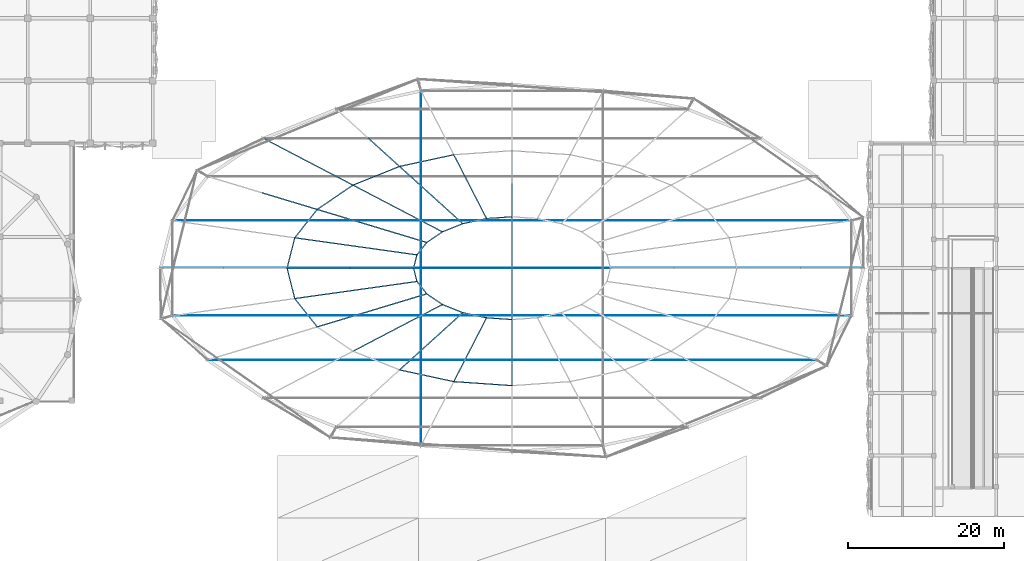
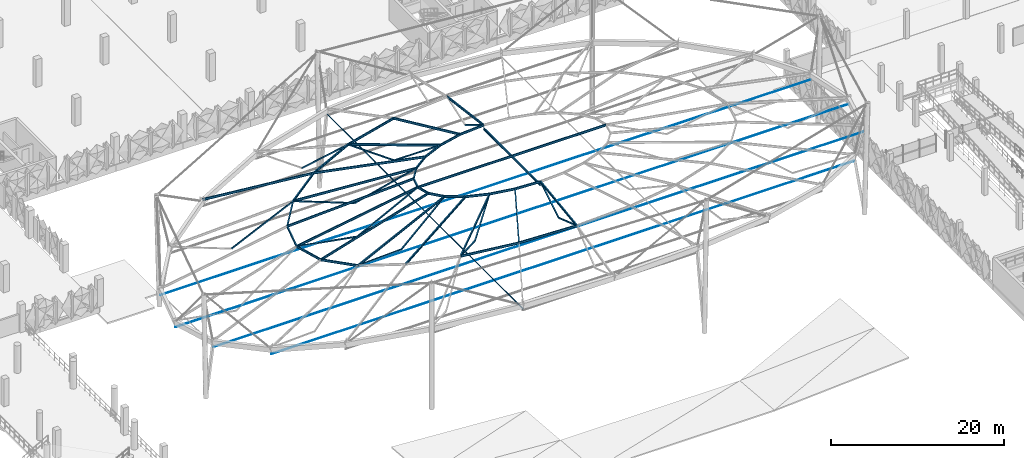
# One storey, part 12 of 96: 37 beams, 20 members.
"""IFC4 building model written with IfcOpenShell, lengths in metres."""

from ifc_helpers import new_model, si_unit, derived_unit, direction, frame, origin, origin_2d, place, context, subcontext, project, spatial, hollow_rectangle, circle, i_section, extrude, material, material_profile, profile_set, type_object, element, save


model = new_model("IFC4")

# Units and contexts
model_context = context("Model", 3, precision=1e-05, world=origin(), true_north=direction((0.0, 1.0)))
body_context = subcontext(model_context, "Body", "Model", "MODEL_VIEW")
ifc_project = project(units=[si_unit("LENGTHUNIT", "METRE"), si_unit("AREAUNIT", "SQUARE_METRE"), si_unit("VOLUMEUNIT", "CUBIC_METRE"), si_unit("PLANEANGLEUNIT", "RADIAN"), si_unit("MASSUNIT", "GRAM", prefix="KILO"), si_unit("THERMODYNAMICTEMPERATUREUNIT", "KELVIN"), derived_unit("THERMALTRANSMITTANCEUNIT", [(si_unit("POWERUNIT", "WATT"), 1), (si_unit("AREAUNIT", "SQUARE_METRE"), -1), (si_unit("THERMODYNAMICTEMPERATUREUNIT", "KELVIN"), -1)])], contexts=[model_context])

# Site, building, storey
site_placement = place(None, origin())
site = spatial("IfcSite", under=ifc_project, at=site_placement, CompositionType="ELEMENT")
building_placement = place(site_placement, origin())
building = spatial("IfcBuilding", under=site, at=building_placement, Name="Haiyu Intermodal Mobility Hub", CompositionType="ELEMENT")
storey_placement = place(building_placement, frame((0.0, 0.0, 9.5)))
storey = spatial("IfcBuildingStorey", under=building, at=storey_placement, Name="L02", CompositionType="ELEMENT", Elevation=9.5)

# Beams
ifc_material_1 = material(Name="Steel Q355C", Category="steel")
ifc_material_profile_1 = material_profile(ifc_material_1, i_section(OverallWidth=0.14990234375, OverallDepth=0.300048828125, WebThickness=0.006591796875, FlangeThickness=0.009033203125, FilletRadius=0.012939453125, at=origin_2d()), Name="HN300x150x6.5x9")
ifc_profile_set_1 = profile_set([ifc_material_profile_1], Name="Steel Q355C")
beam_type = type_object("IfcBeamType", Name="BM-SB10-INT", PredefinedType="JOIST", material=ifc_profile_set_1)
beam_1_placement = place(storey_placement, frame((108.0, 70.580078125, 15.02197265625), z_axis=(-0.997617613596, -0.068564271115, -0.007618252346), x_axis=(0.06856626086, -0.997646564607, 0.0)))
element("IfcBeam", 1, at=beam_1_placement, inside=storey, type_object=beam_type, Name="BM-SADHP-007", PredefinedType="JOIST", context=body_context, shape_type="SweptSolid", body=[
    extrude(i_section(OverallWidth=0.14990234375, OverallDepth=0.300048828125, WebThickness=0.006591796875, FlangeThickness=0.009033203125, FilletRadius=0.012939453125, at=origin_2d()), origin(), (0.0, 0.0, 1.0), 3.268798828125),
])
beam_2_placement = place(storey_placement, frame((104.739013671875, 70.35595703125, 14.9970703125), z_axis=(-0.977115528121, -0.211546139804, -0.022214307074), x_axis=(0.211598355543, -0.977356708644, 0.0)))
element("IfcBeam", 2, at=beam_2_placement, inside=storey, type_object=beam_type, Name="BM-SADHP-008", PredefinedType="JOIST", context=body_context, shape_type="SweptSolid", body=[
    extrude(i_section(OverallWidth=0.14990234375, OverallDepth=0.300048828125, WebThickness=0.006591796875, FlangeThickness=0.009033203125, FilletRadius=0.012939453125, at=origin_2d()), origin(), (0.0, 0.0, 1.0), 3.1103515625),
])
beam_3_placement = place(storey_placement, frame((101.699951171875, 69.697998046875, 14.927978515625), z_axis=(-0.927838396425, -0.371482538513, -0.033416069469), x_axis=(0.371690117332, -0.928356858475, 0.0)))
element("IfcBeam", 3, at=beam_3_placement, inside=storey, type_object=beam_type, Name="BM-SADHP-009", PredefinedType="JOIST", context=body_context, shape_type="SweptSolid", body=[
    extrude(i_section(OverallWidth=0.14990234375, OverallDepth=0.300048828125, WebThickness=0.006591796875, FlangeThickness=0.009033203125, FilletRadius=0.012939453125, at=origin_2d()), origin(), (0.0, 0.0, 1.0), 2.812744140625),
])
beam_4_placement = place(storey_placement, frame((99.090087890625, 68.653076171875, 14.833984375), z_axis=(-0.826008444816, -0.562322295745, -0.038777374863), x_axis=(0.562745550881, -0.826630174239, 0.0)))
element("IfcBeam", 4, at=beam_4_placement, inside=storey, type_object=beam_type, Name="BM-SADHP-010", PredefinedType="JOIST", context=body_context, shape_type="SweptSolid", body=[
    extrude(i_section(OverallWidth=0.14990234375, OverallDepth=0.300048828125, WebThickness=0.006591796875, FlangeThickness=0.009033203125, FilletRadius=0.012939453125, at=origin_2d()), origin(), (0.0, 0.0, 1.0), 2.423828125),
])
beam_5_placement = place(storey_placement, frame((97.087890625, 67.2900390625, 14.739990234375), z_axis=(-0.621036146445, -0.783040339029, -0.03408712751), x_axis=(0.783495655769, -0.621397262136, 0.0)))
element("IfcBeam", 5, at=beam_5_placement, inside=storey, type_object=beam_type, Name="BM-SADHP-011", PredefinedType="JOIST", context=body_context, shape_type="SweptSolid", body=[
    extrude(i_section(OverallWidth=0.14990234375, OverallDepth=0.300048828125, WebThickness=0.006591796875, FlangeThickness=0.009033203125, FilletRadius=0.012939453125, at=origin_2d()), origin(), (0.0, 0.0, 1.0), 2.02685546875),
])
for number, where, z_axis, x_axis, name in (
    (6, (95.8291015625, 65.702880859375, 14.6708984375), (-0.244375132052, -0.969577102424, -0.014178761928), (0.969674577698, -0.244399700013, 0.0), "BM-SADHP-012"),
    (7, (95.39990234375, 64.0, 14.64599609375), (0.244375132052, -0.969577102424, 0.014178761928), (0.969674577698, 0.244399700013, 0.0), "BM-SADHP-013"),
):
    element("IfcBeam", number, at=place(storey_placement, frame(where, z_axis=z_axis, x_axis=x_axis)), inside=storey, type_object=beam_type, Name=name, PredefinedType="JOIST", context=body_context, shape_type="SweptSolid", body=[
        extrude(i_section(OverallWidth=0.14990234375, OverallDepth=0.300048828125, WebThickness=0.006591796875, FlangeThickness=0.009033203125, FilletRadius=0.012939453125, at=origin_2d()), origin(), (0.0, 0.0, 1.0), 1.75634765625),
    ])
beam_6_placement = place(storey_placement, frame((95.8291015625, 62.297119140625, 14.6708984375), z_axis=(0.621036146445, -0.783040339029, 0.03408712751), x_axis=(0.783495655769, 0.621397262136, 0.0)))
element("IfcBeam", 8, at=beam_6_placement, inside=storey, type_object=beam_type, Name="BM-SADHP-014", PredefinedType="JOIST", context=body_context, shape_type="SweptSolid", body=[
    extrude(i_section(OverallWidth=0.14990234375, OverallDepth=0.300048828125, WebThickness=0.006591796875, FlangeThickness=0.009033203125, FilletRadius=0.012939453125, at=origin_2d()), origin(), (0.0, 0.0, 1.0), 2.02685546875),
])
beam_7_placement = place(storey_placement, frame((97.087890625, 60.7099609375, 14.739990234375), z_axis=(0.826008444816, -0.562322295745, 0.038777374863), x_axis=(0.562745550881, 0.826630174239, 0.0)))
element("IfcBeam", 9, at=beam_7_placement, inside=storey, type_object=beam_type, Name="BM-SADHP-015", PredefinedType="JOIST", context=body_context, shape_type="SweptSolid", body=[
    extrude(i_section(OverallWidth=0.14990234375, OverallDepth=0.300048828125, WebThickness=0.006591796875, FlangeThickness=0.009033203125, FilletRadius=0.012939453125, at=origin_2d()), origin(), (0.0, 0.0, 1.0), 2.423828125),
])
beam_8_placement = place(storey_placement, frame((99.090087890625, 59.346923828125, 14.833984375), z_axis=(0.927838396425, -0.371482538513, 0.033416069469), x_axis=(0.371690117332, 0.928356858475, 0.0)))
element("IfcBeam", 10, at=beam_8_placement, inside=storey, type_object=beam_type, Name="BM-SADHP-016", PredefinedType="JOIST", context=body_context, shape_type="SweptSolid", body=[
    extrude(i_section(OverallWidth=0.14990234375, OverallDepth=0.300048828125, WebThickness=0.006591796875, FlangeThickness=0.009033203125, FilletRadius=0.012939453125, at=origin_2d()), origin(), (0.0, 0.0, 1.0), 2.812744140625),
])
beam_9_placement = place(storey_placement, frame((101.699951171875, 58.302001953125, 14.927978515625), z_axis=(0.977115528121, -0.211546139804, 0.022214307074), x_axis=(0.211598355543, 0.977356708644, 0.0)))
element("IfcBeam", 11, at=beam_9_placement, inside=storey, type_object=beam_type, Name="BM-SADHP-017", PredefinedType="JOIST", context=body_context, shape_type="SweptSolid", body=[
    extrude(i_section(OverallWidth=0.14990234375, OverallDepth=0.300048828125, WebThickness=0.006591796875, FlangeThickness=0.009033203125, FilletRadius=0.012939453125, at=origin_2d()), origin(), (0.0, 0.0, 1.0), 3.1103515625),
])
beam_10_placement = place(storey_placement, frame((104.739013671875, 57.64404296875, 14.9970703125), z_axis=(0.997617613596, -0.068564271115, 0.007618252346), x_axis=(0.06856626086, 0.997646564607, 0.0)))
element("IfcBeam", 12, at=beam_10_placement, inside=storey, type_object=beam_type, Name="BM-SADHP-018", PredefinedType="JOIST", context=body_context, shape_type="SweptSolid", body=[
    extrude(i_section(OverallWidth=0.14990234375, OverallDepth=0.300048828125, WebThickness=0.006591796875, FlangeThickness=0.009033203125, FilletRadius=0.012939453125, at=origin_2d()), origin(), (0.0, 0.0, 1.0), 3.268798828125),
])
beam_11_placement = place(storey_placement, frame((100.5458984375, 78.528076171875, 13.781005859375), z_axis=(-0.976121682797, -0.211247142389, -0.050607363168), x_axis=(0.211518176188, -0.977374064083, 0.0)))
element("IfcBeam", 13, at=beam_11_placement, inside=storey, type_object=beam_type, Name="BM-SADHP-032", PredefinedType="JOIST", context=body_context, shape_type="SweptSolid", body=[
    extrude(i_section(OverallWidth=0.14990234375, OverallDepth=0.300048828125, WebThickness=0.006591796875, FlangeThickness=0.009033203125, FilletRadius=0.012939453125, at=origin_2d()), origin(), (0.0, 0.0, 1.0), 7.11572265625),
])
beam_12_placement = place(storey_placement, frame((93.60009765625, 77.02490234375, 13.4208984375), z_axis=(-0.925572021467, -0.370827344908, -0.07618079381), x_axis=(0.371908102054, -0.928269553323, 0.0)))
element("IfcBeam", 14, at=beam_12_placement, inside=storey, type_object=beam_type, Name="BM-SADHP-033", PredefinedType="JOIST", context=body_context, shape_type="SweptSolid", body=[
    extrude(i_section(OverallWidth=0.14990234375, OverallDepth=0.300048828125, WebThickness=0.006591796875, FlangeThickness=0.009033203125, FilletRadius=0.012939453125, at=origin_2d()), origin(), (0.0, 0.0, 1.0), 6.44482421875),
])
beam_13_placement = place(storey_placement, frame((87.635009765625, 74.635009765625, 12.929931640625), z_axis=(-0.823455633588, -0.560434759105, -0.088508193401), x_axis=(0.562642879895, -0.826700060302, 0.0)))
element("IfcBeam", 15, at=beam_13_placement, inside=storey, type_object=beam_type, Name="BM-SADHP-034", PredefinedType="JOIST", context=body_context, shape_type="SweptSolid", body=[
    extrude(i_section(OverallWidth=0.14990234375, OverallDepth=0.300048828125, WebThickness=0.006591796875, FlangeThickness=0.009033203125, FilletRadius=0.012939453125, at=origin_2d()), origin(), (0.0, 0.0, 1.0), 5.55810546875),
])
beam_14_placement = place(storey_placement, frame((83.05810546875, 71.52001953125, 12.43798828125), z_axis=(-0.619609063812, -0.781070195333, -0.07754971312), x_axis=(0.783429503946, -0.621480661282, 0.0)))
element("IfcBeam", 16, at=beam_14_placement, inside=storey, type_object=beam_type, Name="BM-SADHP-035", PredefinedType="JOIST", context=body_context, shape_type="SweptSolid", body=[
    extrude(i_section(OverallWidth=0.14990234375, OverallDepth=0.300048828125, WebThickness=0.006591796875, FlangeThickness=0.009033203125, FilletRadius=0.012939453125, at=origin_2d()), origin(), (0.0, 0.0, 1.0), 4.6435546875),
])
for number, where, z_axis, x_axis, name in (
    (17, (80.180908203125, 67.89306640625, 12.077880859375), (-0.24420837941, -0.969175415149, -0.032577324879), (0.96969010912, -0.244338069638, 0.0), "BM-SADHP-036"),
    (18, (79.199951171875, 64.0, 11.947021484375), (0.24420837941, -0.969175415149, 0.032577324879), (0.96969010912, 0.244338069638, 0.0), "BM-SADHP-037"),
):
    element("IfcBeam", number, at=place(storey_placement, frame(where, z_axis=z_axis, x_axis=x_axis)), inside=storey, type_object=beam_type, Name=name, PredefinedType="JOIST", context=body_context, shape_type="SweptSolid", body=[
        extrude(i_section(OverallWidth=0.14990234375, OverallDepth=0.300048828125, WebThickness=0.006591796875, FlangeThickness=0.009033203125, FilletRadius=0.012939453125, at=origin_2d()), origin(), (0.0, 0.0, 1.0), 4.016845703125),
    ])
beam_15_placement = place(storey_placement, frame((80.180908203125, 60.10693359375, 12.077880859375), z_axis=(0.619609063812, -0.781070195333, 0.07754971312), x_axis=(0.783429503946, 0.621480661282, 0.0)))
element("IfcBeam", 19, at=beam_15_placement, inside=storey, type_object=beam_type, Name="BM-SADHP-038", PredefinedType="JOIST", context=body_context, shape_type="SweptSolid", body=[
    extrude(i_section(OverallWidth=0.14990234375, OverallDepth=0.300048828125, WebThickness=0.006591796875, FlangeThickness=0.009033203125, FilletRadius=0.012939453125, at=origin_2d()), origin(), (0.0, 0.0, 1.0), 4.6435546875),
])
beam_16_placement = place(storey_placement, frame((93.60009765625, 50.97509765625, 13.4208984375), z_axis=(0.976121682797, -0.211247142389, 0.050607363168), x_axis=(0.211518176188, 0.977374064083, 0.0)))
element("IfcBeam", 20, at=beam_16_placement, inside=storey, type_object=beam_type, Name="BM-SADHP-041", PredefinedType="JOIST", context=body_context, shape_type="SweptSolid", body=[
    extrude(i_section(OverallWidth=0.14990234375, OverallDepth=0.300048828125, WebThickness=0.006591796875, FlangeThickness=0.009033203125, FilletRadius=0.012939453125, at=origin_2d()), origin(), (0.0, 0.0, 1.0), 7.11572265625),
])
beam_17_placement = place(storey_placement, frame((100.5458984375, 49.471923828125, 13.781005859375), z_axis=(0.997493857987, -0.068509911575, 0.017674707755), x_axis=(0.06852061517, 0.997649700695, 0.0)))
element("IfcBeam", 21, at=beam_17_placement, inside=storey, type_object=beam_type, Name="BM-SADHP-042", PredefinedType="JOIST", context=body_context, shape_type="SweptSolid", body=[
    extrude(i_section(OverallWidth=0.14990234375, OverallDepth=0.300048828125, WebThickness=0.006591796875, FlangeThickness=0.009033203125, FilletRadius=0.012939453125, at=origin_2d()), origin(), (0.0, 0.0, 1.0), 7.472900390625),
])
beam_18_placement = place(storey_placement, frame((108.0, 79.0400390625, 13.916015625), z_axis=(0.0, -0.991518841656, 0.129963020282), x_axis=(1.0, 0.0, 0.0)))
element("IfcBeam", 22, at=beam_18_placement, inside=storey, type_object=beam_type, Name="BM-SADRAD-062", PredefinedType="JOIST", context=body_context, shape_type="SweptSolid", body=[
    extrude(i_section(OverallWidth=0.14990234375, OverallDepth=0.300048828125, WebThickness=0.006591796875, FlangeThickness=0.009033203125, FilletRadius=0.012939453125, at=origin_2d()), origin(), (0.0, 0.0, 1.0), 8.5322265625),
])
beam_19_placement = place(storey_placement, frame((100.5458984375, 78.528076171875, 13.783935546875), z_axis=(0.452564422655, -0.882019733306, 0.131250270116), x_axis=(0.889716433781, 0.45651360052, 0.0)))
element("IfcBeam", 23, at=beam_19_placement, inside=storey, type_object=beam_type, Name="BM-SADRAD-064", PredefinedType="JOIST", context=body_context, shape_type="SweptSolid", body=[
    extrude(i_section(OverallWidth=0.14990234375, OverallDepth=0.300048828125, WebThickness=0.006591796875, FlangeThickness=0.009033203125, FilletRadius=0.012939453125, at=origin_2d()), origin(), (0.0, 0.0, 1.0), 9.26513671875),
])
beam_20_placement = place(storey_placement, frame((93.60009765625, 77.02490234375, 13.424072265625), z_axis=(0.734647098866, -0.664541522262, 0.136668230829), x_axis=(0.670836060312, 0.741605677018, 0.0)))
element("IfcBeam", 24, at=beam_20_placement, inside=storey, type_object=beam_type, Name="BM-SADRAD-066", PredefinedType="JOIST", context=body_context, shape_type="SweptSolid", body=[
    extrude(i_section(OverallWidth=0.14990234375, OverallDepth=0.300048828125, WebThickness=0.006591796875, FlangeThickness=0.009033203125, FilletRadius=0.012939453125, at=origin_2d()), origin(), (0.0, 0.0, 1.0), 11.025390625),
])
beam_21_placement = place(storey_placement, frame((76.179931640625, 80.616943359375, 9.5380859375), z_axis=(0.857322605249, -0.447700734736, 0.254090540251), x_axis=(0.462892669967, 0.886414336578, 0.0)))
element("IfcBeam", 25, at=beam_21_placement, inside=storey, type_object=beam_type, Name="BM-SADRAD-067", PredefinedType="JOIST", context=body_context, shape_type="SweptSolid", body=[
    extrude(i_section(OverallWidth=0.14990234375, OverallDepth=0.300048828125, WebThickness=0.006591796875, FlangeThickness=0.009033203125, FilletRadius=0.012939453125, at=origin_2d()), origin(), (0.0, 0.0, 1.0), 13.361572265625),
])
beam_22_placement = place(storey_placement, frame((87.635009765625, 74.635009765625, 12.93310546875), z_axis=(0.87694911144, -0.457949853548, 0.14574699853), x_axis=(0.462892669967, 0.886414336578, 0.0)))
element("IfcBeam", 26, at=beam_22_placement, inside=storey, type_object=beam_type, Name="BM-SADRAD-068", PredefinedType="JOIST", context=body_context, shape_type="SweptSolid", body=[
    extrude(i_section(OverallWidth=0.14990234375, OverallDepth=0.300048828125, WebThickness=0.006591796875, FlangeThickness=0.009033203125, FilletRadius=0.012939453125, at=origin_2d()), origin(), (0.0, 0.0, 1.0), 13.0625),
])
beam_23_placement = place(storey_placement, frame((83.05810546875, 71.52001953125, 12.44091796875), z_axis=(0.945830272905, -0.28516784374, 0.155191480932), x_axis=(0.288665193348, 0.957430105099, 0.0)))
element("IfcBeam", 27, at=beam_23_placement, inside=storey, type_object=beam_type, Name="BM-SADRAD-070", PredefinedType="JOIST", context=body_context, shape_type="SweptSolid", body=[
    extrude(i_section(OverallWidth=0.14990234375, OverallDepth=0.300048828125, WebThickness=0.006591796875, FlangeThickness=0.009033203125, FilletRadius=0.012939453125, at=origin_2d()), origin(), (0.0, 0.0, 1.0), 14.833251953125),
])
beam_24_placement = place(storey_placement, frame((80.180908203125, 67.89306640625, 12.0810546875), z_axis=(0.977274428965, -0.13678335131, 0.161941363757), x_axis=(0.13861298977, 0.990346625716, 0.0)))
element("IfcBeam", 28, at=beam_24_placement, inside=storey, type_object=beam_type, Name="BM-SADRAD-072", PredefinedType="JOIST", context=body_context, shape_type="SweptSolid", body=[
    extrude(i_section(OverallWidth=0.14990234375, OverallDepth=0.300048828125, WebThickness=0.006591796875, FlangeThickness=0.009033203125, FilletRadius=0.012939453125, at=origin_2d()), origin(), (0.0, 0.0, 1.0), 16.011962890625),
])
beam_25_placement = place(storey_placement, frame((79.199951171875, 64.0, 11.949951171875), z_axis=(0.986403966286, 0.0, 0.164338721231), x_axis=(0.0, 1.0, 0.0)))
element("IfcBeam", 29, at=beam_25_placement, inside=storey, type_object=beam_type, Name="BM-SADRAD-074", PredefinedType="JOIST", context=body_context, shape_type="SweptSolid", body=[
    extrude(i_section(OverallWidth=0.14990234375, OverallDepth=0.300048828125, WebThickness=0.006591796875, FlangeThickness=0.009033203125, FilletRadius=0.012939453125, at=origin_2d()), origin(), (0.0, 0.0, 1.0), 16.42333984375),
])
beam_26_placement = place(storey_placement, frame((80.180908203125, 60.10693359375, 12.0810546875), z_axis=(0.977274428965, 0.13678335131, 0.161941363757), x_axis=(-0.13861298977, 0.990346625716, 0.0)))
element("IfcBeam", 30, at=beam_26_placement, inside=storey, type_object=beam_type, Name="BM-SADRAD-076", PredefinedType="JOIST", context=body_context, shape_type="SweptSolid", body=[
    extrude(i_section(OverallWidth=0.14990234375, OverallDepth=0.300048828125, WebThickness=0.006591796875, FlangeThickness=0.009033203125, FilletRadius=0.012939453125, at=origin_2d()), origin(), (0.0, 0.0, 1.0), 16.011962890625),
])
beam_27_placement = place(storey_placement, frame((83.05810546875, 56.47998046875, 12.44091796875), z_axis=(0.945830272905, 0.28516784374, 0.155191480932), x_axis=(-0.288665193348, 0.957430105099, 0.0)))
element("IfcBeam", 31, at=beam_27_placement, inside=storey, type_object=beam_type, Name="BM-SADRAD-078", PredefinedType="JOIST", context=body_context, shape_type="SweptSolid", body=[
    extrude(i_section(OverallWidth=0.14990234375, OverallDepth=0.300048828125, WebThickness=0.006591796875, FlangeThickness=0.009033203125, FilletRadius=0.012939453125, at=origin_2d()), origin(), (0.0, 0.0, 1.0), 14.833251953125),
])
beam_28_placement = place(storey_placement, frame((87.635009765625, 53.364990234375, 12.93310546875), z_axis=(0.87694911144, 0.457949853548, 0.14574699853), x_axis=(-0.462892669967, 0.886414336578, 0.0)))
element("IfcBeam", 32, at=beam_28_placement, inside=storey, type_object=beam_type, Name="BM-SADRAD-080", PredefinedType="JOIST", context=body_context, shape_type="SweptSolid", body=[
    extrude(i_section(OverallWidth=0.14990234375, OverallDepth=0.300048828125, WebThickness=0.006591796875, FlangeThickness=0.009033203125, FilletRadius=0.012939453125, at=origin_2d()), origin(), (0.0, 0.0, 1.0), 13.0625),
])
beam_29_placement = place(storey_placement, frame((93.60009765625, 50.97509765625, 13.424072265625), z_axis=(0.734647098866, 0.664541522262, 0.136668230829), x_axis=(-0.670836060312, 0.741605677018, 0.0)))
element("IfcBeam", 33, at=beam_29_placement, inside=storey, type_object=beam_type, Name="BM-SADRAD-082", PredefinedType="JOIST", context=body_context, shape_type="SweptSolid", body=[
    extrude(i_section(OverallWidth=0.14990234375, OverallDepth=0.300048828125, WebThickness=0.006591796875, FlangeThickness=0.009033203125, FilletRadius=0.012939453125, at=origin_2d()), origin(), (0.0, 0.0, 1.0), 11.025390625),
])
beam_30_placement = place(storey_placement, frame((100.5458984375, 49.471923828125, 13.783935546875), z_axis=(0.452564422655, 0.882019733306, 0.131250270116), x_axis=(-0.889716433781, 0.45651360052, 0.0)))
element("IfcBeam", 34, at=beam_30_placement, inside=storey, type_object=beam_type, Name="BM-SADRAD-084", PredefinedType="JOIST", context=body_context, shape_type="SweptSolid", body=[
    extrude(i_section(OverallWidth=0.14990234375, OverallDepth=0.300048828125, WebThickness=0.006591796875, FlangeThickness=0.009033203125, FilletRadius=0.012939453125, at=origin_2d()), origin(), (0.0, 0.0, 1.0), 9.26513671875),
])
beam_31_placement = place(storey_placement, frame((108.0, 48.9599609375, 13.916015625), z_axis=(0.0, 0.991518841656, 0.129963020282), x_axis=(-1.0, 0.0, 0.0)))
element("IfcBeam", 35, at=beam_31_placement, inside=storey, type_object=beam_type, Name="BM-SADRAD-086", PredefinedType="JOIST", context=body_context, shape_type="SweptSolid", body=[
    extrude(i_section(OverallWidth=0.14990234375, OverallDepth=0.300048828125, WebThickness=0.006591796875, FlangeThickness=0.009033203125, FilletRadius=0.012939453125, at=origin_2d()), origin(), (0.0, 0.0, 1.0), 8.5322265625),
])
beam_32_placement = place(storey_placement, frame((120.60009765625, 64.0, 14.64111328125), z_axis=(-1.0, 0.0, 0.0), x_axis=(0.0, -1.0, 0.0)))
element("IfcBeam", 36, at=beam_32_placement, inside=storey, type_object=beam_type, Name="BM-SADCTR-097", PredefinedType="JOIST", context=body_context, shape_type="SweptSolid", body=[
    extrude(i_section(OverallWidth=0.14990234375, OverallDepth=0.300048828125, WebThickness=0.006591796875, FlangeThickness=0.009033203125, FilletRadius=0.012939453125, at=origin_2d()), origin(), (0.0, 0.0, 1.0), 25.2001953125),
])
beam_33_placement = place(storey_placement, frame((108.0, 70.580078125, 14.556884765625), z_axis=(0.0, -1.0, 0.0), x_axis=(1.0, 0.0, 0.0)))
element("IfcBeam", 37, at=beam_33_placement, inside=storey, type_object=beam_type, Name="BM-SADCTR-098", PredefinedType="JOIST", context=body_context, shape_type="SweptSolid", body=[
    extrude(i_section(OverallWidth=0.14990234375, OverallDepth=0.300048828125, WebThickness=0.006591796875, FlangeThickness=0.009033203125, FilletRadius=0.012939453125, at=origin_2d()), origin(), (0.0, 0.0, 1.0), 13.16015625),
])

# Members
ifc_material_profile_2 = material_profile(ifc_material_1, hollow_rectangle(XDim=0.159912109375, YDim=0.159912109375, WallThickness=0.006103515625, at=origin_2d()), Name="SHS160x160x6")
ifc_profile_set_2 = profile_set([ifc_material_profile_2], Name="Steel Q355C")
member_type_1 = type_object("IfcMemberType", Name="MEM-CH03", PredefinedType="CHORD", material=ifc_profile_set_2)
member_1_placement = place(storey_placement, frame((108.0, 74.81005859375, 12.466064453125), z_axis=(0.0, -0.855626704669, 0.517593414039), x_axis=(1.0, 0.0, 0.0)))
element("IfcMember", 38, at=member_1_placement, inside=storey, type_object=member_type_1, Name="MEM-SADD2-062", PredefinedType="CHORD", context=body_context, shape_type="SweptSolid", body=[
    extrude(hollow_rectangle(XDim=0.159912109375, YDim=0.159912109375, WallThickness=0.006103515625, at=origin_2d()), origin(), (0.0, 0.0, 1.0), 4.943603515625),
])
member_2_placement = place(storey_placement, frame((89.550048828125, 80.68798828125, 9.2880859375), z_axis=(0.591216650187, -0.534728712967, 0.60376160533), x_axis=(0.670788055966, 0.741649097602, 0.0)))
element("IfcMember", 39, at=member_2_placement, inside=storey, type_object=member_type_1, Name="MEM-SADD2-065", PredefinedType="CHORD", context=body_context, shape_type="SweptSolid", body=[
    extrude(hollow_rectangle(XDim=0.159912109375, YDim=0.159912109375, WallThickness=0.006103515625, at=origin_2d()), origin(), (0.0, 0.0, 1.0), 6.850341796875),
])
member_3_placement = place(storey_placement, frame((93.60009765625, 77.02490234375, 13.424072265625), z_axis=(0.716811180309, -0.648319154701, -0.256639836017), x_axis=(0.670785706266, 0.741651222792, 0.0)))
element("IfcMember", 40, at=member_3_placement, inside=storey, type_object=member_type_1, Name="MEM-SADD1-066", PredefinedType="CHORD", context=body_context, shape_type="SweptSolid", body=[
    extrude(hollow_rectangle(XDim=0.159912109375, YDim=0.159912109375, WallThickness=0.006103515625, at=origin_2d()), origin(), (0.0, 0.0, 1.0), 5.649658203125),
])
member_4_placement = place(storey_placement, frame((97.64990234375, 73.362060546875, 11.97412109375), z_axis=(0.652124795165, -0.589974617266, 0.476091590466), x_axis=(0.670886402047, 0.741560136165, 0.0)))
element("IfcMember", 41, at=member_4_placement, inside=storey, type_object=member_type_1, Name="MEM-SADD2-066", PredefinedType="CHORD", context=body_context, shape_type="SweptSolid", body=[
    extrude(hollow_rectangle(XDim=0.159912109375, YDim=0.159912109375, WallThickness=0.006103515625, at=origin_2d()), origin(), (0.0, 0.0, 1.0), 6.21044921875),
])
member_5_placement = place(storey_placement, frame((76.0439453125, 73.635009765625, 6.887939453125), z_axis=(0.763007540814, -0.230070808426, 0.604058702256), x_axis=(0.288692823835, 0.957421774071, 0.0)))
element("IfcMember", 42, at=member_5_placement, inside=storey, type_object=member_type_1, Name="MEM-SADD2-069", PredefinedType="CHORD", context=body_context, shape_type="SweptSolid", body=[
    extrude(hollow_rectangle(XDim=0.159912109375, YDim=0.159912109375, WallThickness=0.006103515625, at=origin_2d()), origin(), (0.0, 0.0, 1.0), 9.19287109375),
])
member_6_placement = place(storey_placement, frame((83.05810546875, 71.52001953125, 12.44091796875), z_axis=(0.93921536077, -0.283173447616, -0.194132183469), x_axis=(0.288665193348, 0.957430105099, 0.0)))
element("IfcMember", 43, at=member_6_placement, inside=storey, type_object=member_type_1, Name="MEM-SADD1-070", PredefinedType="CHORD", context=body_context, shape_type="SweptSolid", body=[
    extrude(hollow_rectangle(XDim=0.159912109375, YDim=0.159912109375, WallThickness=0.006103515625, at=origin_2d()), origin(), (0.0, 0.0, 1.0), 7.468994140625),
])
member_7_placement = place(storey_placement, frame((90.072998046875, 69.405029296875, 10.990966796875), z_axis=(0.852191814542, -0.256935846914, 0.455799387668), x_axis=(0.288665193348, 0.957430105099, 0.0)))
element("IfcMember", 44, at=member_7_placement, inside=storey, type_object=member_type_1, Name="MEM-SADD2-070", PredefinedType="CHORD", context=body_context, shape_type="SweptSolid", body=[
    extrude(hollow_rectangle(XDim=0.159912109375, YDim=0.159912109375, WallThickness=0.006103515625, at=origin_2d()), origin(), (0.0, 0.0, 1.0), 8.231689453125),
])
member_8_placement = place(storey_placement, frame((79.199951171875, 64.0, 11.949951171875), z_axis=(0.984353775203, 0.0, -0.176203420065), x_axis=(0.0, 1.0, 0.0)))
element("IfcMember", 45, at=member_8_placement, inside=storey, type_object=member_type_1, Name="MEM-SADD1-074", PredefinedType="CHORD", context=body_context, shape_type="SweptSolid", body=[
    extrude(hollow_rectangle(XDim=0.159912109375, YDim=0.159912109375, WallThickness=0.006103515625, at=origin_2d()), origin(), (0.0, 0.0, 1.0), 8.228759765625),
])
member_9_placement = place(storey_placement, frame((87.300048828125, 64.0, 10.5), z_axis=(0.890033541635, 0.0, 0.455895047971), x_axis=(0.0, 1.0, 0.0)))
element("IfcMember", 46, at=member_9_placement, inside=storey, type_object=member_type_1, Name="MEM-SADD2-074", PredefinedType="CHORD", context=body_context, shape_type="SweptSolid", body=[
    extrude(hollow_rectangle(XDim=0.159912109375, YDim=0.159912109375, WallThickness=0.006103515625, at=origin_2d()), origin(), (0.0, 0.0, 1.0), 9.1005859375),
])
member_10_placement = place(storey_placement, frame((83.05810546875, 56.47998046875, 12.44091796875), z_axis=(0.93921536077, 0.283173447616, -0.194132183469), x_axis=(-0.288665193348, 0.957430105099, 0.0)))
element("IfcMember", 47, at=member_10_placement, inside=storey, type_object=member_type_1, Name="MEM-SADD1-078", PredefinedType="CHORD", context=body_context, shape_type="SweptSolid", body=[
    extrude(hollow_rectangle(XDim=0.159912109375, YDim=0.159912109375, WallThickness=0.006103515625, at=origin_2d()), origin(), (0.0, 0.0, 1.0), 7.468994140625),
])
member_11_placement = place(storey_placement, frame((90.072998046875, 58.594970703125, 10.990966796875), z_axis=(0.852191814542, 0.256935846914, 0.455799387668), x_axis=(-0.288665193348, 0.957430105099, 0.0)))
element("IfcMember", 48, at=member_11_placement, inside=storey, type_object=member_type_1, Name="MEM-SADD2-078", PredefinedType="CHORD", context=body_context, shape_type="SweptSolid", body=[
    extrude(hollow_rectangle(XDim=0.159912109375, YDim=0.159912109375, WallThickness=0.006103515625, at=origin_2d()), origin(), (0.0, 0.0, 1.0), 8.231689453125),
])
member_12_placement = place(storey_placement, frame((93.60009765625, 50.97509765625, 13.424072265625), z_axis=(0.716811180309, 0.648319154701, -0.256639836017), x_axis=(-0.670785706266, 0.741651222792, 0.0)))
element("IfcMember", 49, at=member_12_placement, inside=storey, type_object=member_type_1, Name="MEM-SADD1-082", PredefinedType="CHORD", context=body_context, shape_type="SweptSolid", body=[
    extrude(hollow_rectangle(XDim=0.159912109375, YDim=0.159912109375, WallThickness=0.006103515625, at=origin_2d()), origin(), (0.0, 0.0, 1.0), 5.649658203125),
])
member_13_placement = place(storey_placement, frame((97.64990234375, 54.637939453125, 11.97412109375), z_axis=(0.652124795165, 0.589974617266, 0.476091590466), x_axis=(-0.670886402047, 0.741560136165, 0.0)))
element("IfcMember", 50, at=member_13_placement, inside=storey, type_object=member_type_1, Name="MEM-SADD2-082", PredefinedType="CHORD", context=body_context, shape_type="SweptSolid", body=[
    extrude(hollow_rectangle(XDim=0.159912109375, YDim=0.159912109375, WallThickness=0.006103515625, at=origin_2d()), origin(), (0.0, 0.0, 1.0), 6.21044921875),
])
member_14_placement = place(storey_placement, frame((108.0, 48.9599609375, 13.916015625), z_axis=(0.0, 0.945968437013, -0.324258717963), x_axis=(-1.0, 0.0, 0.0)))
element("IfcMember", 51, at=member_14_placement, inside=storey, type_object=member_type_1, Name="MEM-SADD1-086", PredefinedType="CHORD", context=body_context, shape_type="SweptSolid", body=[
    extrude(hollow_rectangle(XDim=0.159912109375, YDim=0.159912109375, WallThickness=0.006103515625, at=origin_2d()), origin(), (0.0, 0.0, 1.0), 4.4716796875),
])
member_15_placement = place(storey_placement, frame((108.0, 53.18994140625, 12.466064453125), z_axis=(0.0, 0.855626704669, 0.517593414039), x_axis=(-1.0, 0.0, 0.0)))
element("IfcMember", 52, at=member_15_placement, inside=storey, type_object=member_type_1, Name="MEM-SADD2-086", PredefinedType="CHORD", context=body_context, shape_type="SweptSolid", body=[
    extrude(hollow_rectangle(XDim=0.159912109375, YDim=0.159912109375, WallThickness=0.006103515625, at=origin_2d()), origin(), (0.0, 0.0, 1.0), 4.943603515625),
])
ifc_material_2 = material(Name="Galvanized steel cable 1670 MPa", Category="steel")
ifc_material_profile_3 = material_profile(ifc_material_2, circle(Radius=0.047607421875, at=origin_2d()), Name="CABLE95")
ifc_profile_set_3 = profile_set([ifc_material_profile_3], Name="Galvanized steel cable 1670 MPa")
member_type_2 = type_object("IfcMemberType", Name="MEM-TC01", PredefinedType="USERDEFINED", material=ifc_profile_set_3)
member_16_placement = place(storey_placement, frame((96.35302734375, 41.301025390625, 10.89794921875), z_axis=(0.0, 1.0, 0.0), x_axis=(-1.0, 0.0, 0.0)))
element("IfcMember", 53, at=member_16_placement, inside=storey, type_object=member_type_2, Name="Cable-Net Tendon CB-NS-003", ObjectType="TENSION CABLE", PredefinedType="USERDEFINED", context=body_context, shape_type="SweptSolid", body=[
    extrude(circle(Radius=0.047607421875, at=origin_2d()), origin(), (0.0, 0.0, 1.0), 45.39794921875),
])
ifc_material_profile_4 = material_profile(ifc_material_2, circle(Radius=0.0400390625, at=origin_2d()), Name="CABLE80")
ifc_profile_set_4 = profile_set([ifc_material_profile_4], Name="Galvanized steel cable 1670 MPa")
member_type_3 = type_object("IfcMemberType", Name="MEM-TC02", PredefinedType="USERDEFINED", material=ifc_profile_set_4)
for number, where, z_axis, x_axis, name in (
    (54, (64.532958984375, 70.08203125, 6.5419921875), (1.0, 0.0, 0.0), (0.0, 1.0, 0.0), "Cable-Net Tendon CB-EW-005"),
    (55, (64.532958984375, 57.91796875, 6.5419921875), (1.0, 0.0, 0.0), (0.0, 1.0, 0.0), "Cable-Net Tendon CB-EW-010"),
):
    element("IfcMember", number, at=place(storey_placement, frame(where, z_axis=z_axis, x_axis=x_axis)), inside=storey, type_object=member_type_3, Name=name, ObjectType="TENSION CABLE", PredefinedType="USERDEFINED", context=body_context, shape_type="SweptSolid", body=[
        extrude(circle(Radius=0.0400390625, at=origin_2d()), origin(), (0.0, 0.0, 1.0), 86.93408203125),
    ])
member_17_placement = place(storey_placement, frame((69.029052734375, 52.25, 7.419921875), z_axis=(1.0, 0.0, 0.0), x_axis=(0.0, 1.0, 0.0)))
element("IfcMember", 56, at=member_17_placement, inside=storey, type_object=member_type_3, Name="Cable-Net Tendon CB-EW-011", ObjectType="TENSION CABLE", PredefinedType="USERDEFINED", context=body_context, shape_type="SweptSolid", body=[
    extrude(circle(Radius=0.0400390625, at=origin_2d()), origin(), (0.0, 0.0, 1.0), 77.94189453125),
])
member_18_placement = place(storey_placement, frame((63.0, 64.0, 6.219970703125), z_axis=(1.0, 0.0, 0.0), x_axis=(0.0, 1.0, 0.0)))
element("IfcMember", 57, at=member_18_placement, inside=storey, type_object=member_type_3, Name="Cable-Net Tendon CB-EW-015", ObjectType="TENSION CABLE", PredefinedType="USERDEFINED", context=body_context, shape_type="SweptSolid", body=[
    extrude(circle(Radius=0.0400390625, at=origin_2d()), origin(), (0.0, 0.0, 1.0), 90.0),
])

save(model, "model.ifc")
